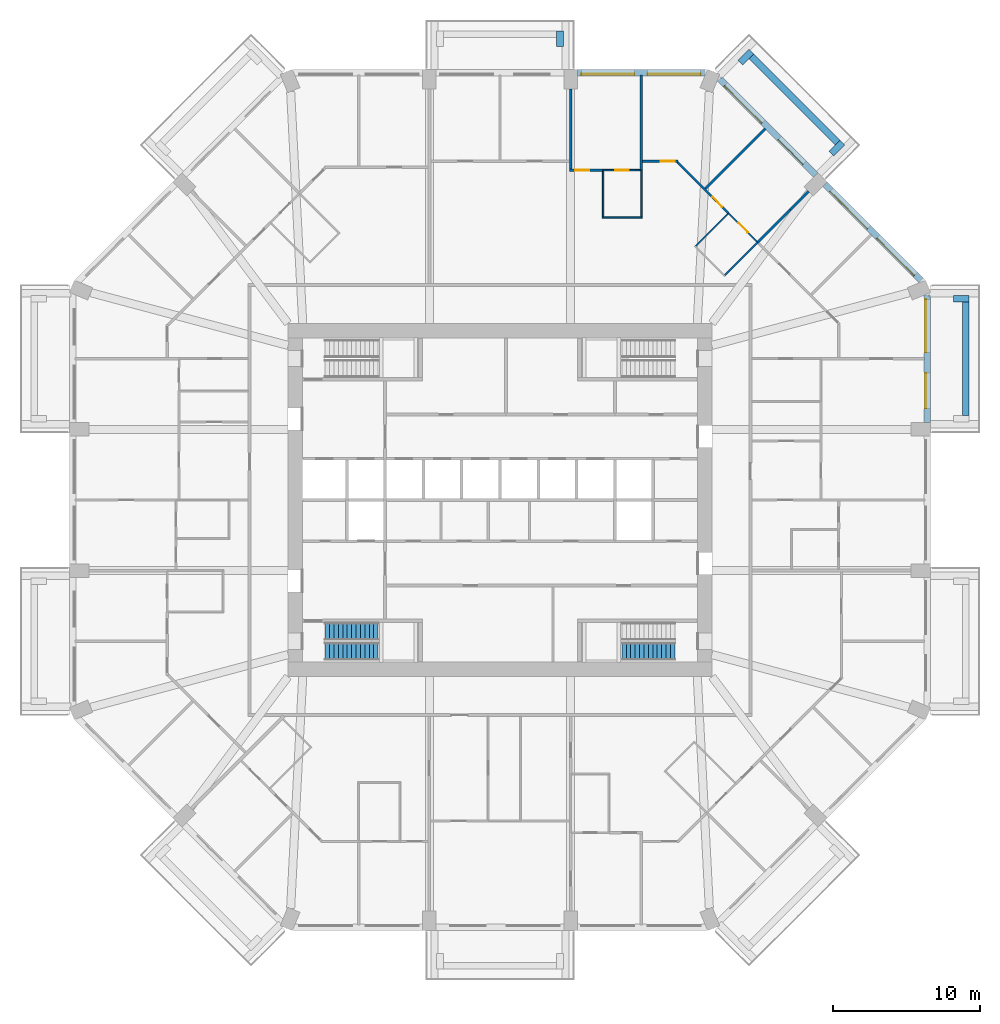
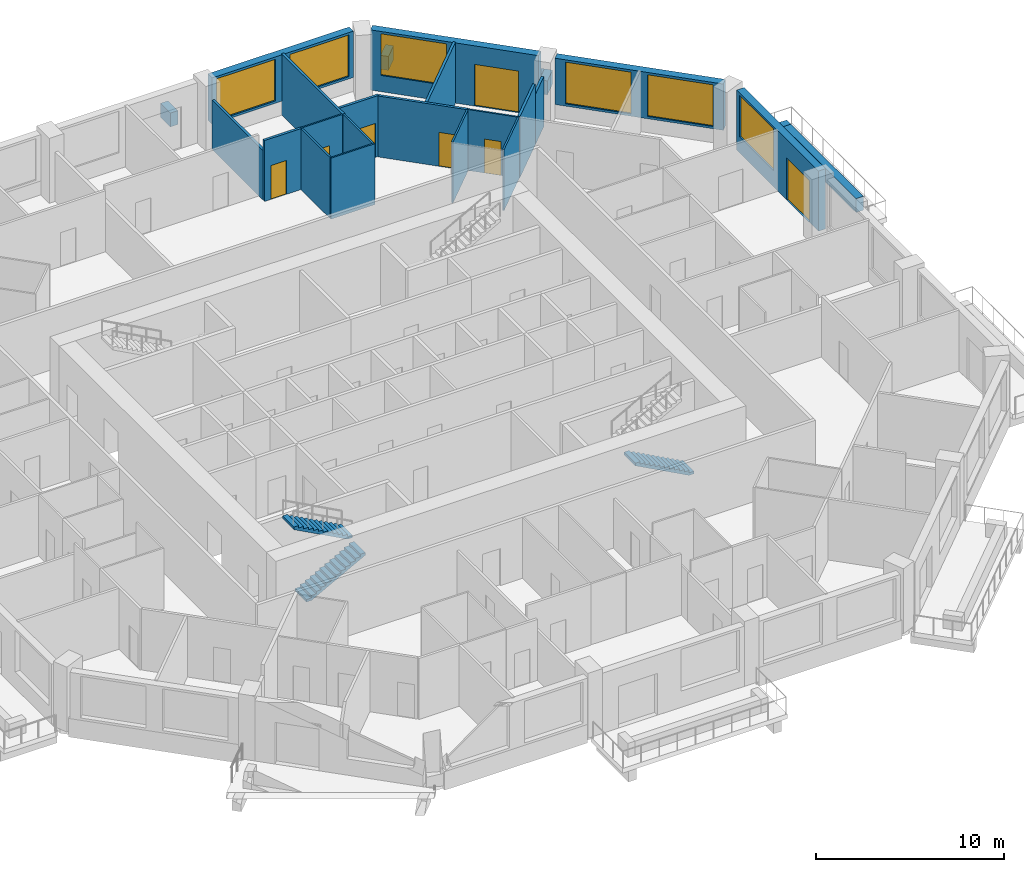
# One storey, part 10 of 13: 25 walls, 7 doors, 6 windows, 3 stair flights, 13 openings, 2 elements without a shape of their own.
"""IFC4 building model written with IfcOpenShell, lengths in metres."""

from ifc_helpers import new_model, si_unit, direction, frame, frame_2d, origin, place, context, subcontext, project, spatial, polyline, rectangle, outline, extrude, material, layer, layer_set, type_object, element, fill, aggregate, save


model = new_model("IFC4")

# Units and contexts
model_context = context("Model", 3, precision=1e-05, world=origin(), true_north=direction((0.0, 1.0)))
body_context = subcontext(model_context, "Body", "Model", "MODEL_VIEW")
ifc_project = project(units=[si_unit("LENGTHUNIT", "METRE"), si_unit("AREAUNIT", "SQUARE_METRE"), si_unit("VOLUMEUNIT", "CUBIC_METRE"), si_unit("PLANEANGLEUNIT", "RADIAN"), si_unit("MASSUNIT", "GRAM", prefix="KILO")], contexts=[model_context])

# Site, building, storey
site_placement = place(None, origin())
site = spatial("IfcSite", under=ifc_project, at=site_placement, CompositionType="ELEMENT")
building_placement = place(site_placement, origin())
building = spatial("IfcBuilding", under=site, at=building_placement, Name="Msitu Wima Residences", CompositionType="ELEMENT")
storey_placement = place(building_placement, frame((0.0, 0.0, 67.5)))
storey = spatial("IfcBuildingStorey", under=building, at=storey_placement, Name="L15", CompositionType="ELEMENT", Elevation=67.5)

# Walls
ifc_material_1 = material(Name="Facing brick")
ifc_layer_1 = layer(ifc_material_1, 0.06494140625, Name="Facing brick")
ifc_material_2 = material(Name="Concrete C40/50", Category="concrete")
ifc_layer_2 = layer(ifc_material_2, 0.156005859375, Name="Concrete C40/50")
ifc_material_3 = material(Name="Waterproofing membrane")
ifc_layer_3 = layer(ifc_material_3, 0.00390625, Name="Waterproofing membrane")
ifc_material_4 = material(Name="Planting soil and planting")
ifc_layer_4 = layer(ifc_material_4, 0.22509765625, Name="Planting soil and planting")
ifc_layer_set_1 = layer_set([ifc_layer_1, ifc_layer_2, ifc_layer_3, ifc_layer_4], Name="Concrete C40/50")
wall_type_1 = type_object("IfcWallType", Name="Balcony planter PLANTER PL450", PredefinedType="USERDEFINED", material=ifc_layer_set_1)
wall_1_placement = place(storey_placement, frame((31.625, 5.75, 0.0), z_axis=(0.0, 0.0, 1.0), x_axis=(0.0, 1.0, 0.0)))
element("IfcWall", 1, at=wall_1_placement, inside=storey, type_object=wall_type_1, Name="Balcony planter E2 L15", ObjectType="PLANTER", PredefinedType="USERDEFINED", context=body_context, shape_type="SweptSolid", body=[
    extrude(rectangle(XDim=7.699951171875, YDim=0.449951171875, at=frame_2d((3.85009765625, 0.0))), origin(), (0.0, 0.0, 1.0), 0.89990234375),
])
wall_2_placement = place(storey_placement, frame((30.800048828125, 13.675048828125, 0.0), z_axis=(0.0, 0.0, 1.0), x_axis=(1.0, 0.0, 0.0)))
element("IfcWall", 2, at=wall_2_placement, inside=storey, type_object=wall_type_1, Name="Balcony planter E2 L15", ObjectType="PLANTER", PredefinedType="USERDEFINED", context=body_context, shape_type="SweptSolid", body=[
    extrude(rectangle(XDim=1.050048828125, YDim=0.449951171875, at=frame_2d((0.52490234375, 0.0))), origin(), (0.0, 0.0, 1.0), 0.89990234375),
])
wall_3_placement = place(storey_placement, frame((22.92578125, 24.269287109375, 0.0), z_axis=(0.0, 0.0, 1.0), x_axis=(-0.707106781187, 0.707106781187, 0.0)))
element("IfcWall", 3, at=wall_3_placement, inside=storey, type_object=wall_type_1, Name="Balcony planter NE1 L15", ObjectType="PLANTER", PredefinedType="USERDEFINED", context=body_context, shape_type="SweptSolid", body=[
    extrude(rectangle(XDim=8.2822265625, YDim=0.449951171875, at=frame_2d((4.14111328125, 0.0))), origin(), (0.0, 0.0, 1.0), 0.89990234375),
])
for number, where, z_axis, x_axis, name in (
    (4, (22.50146484375, 23.52685546875, 0.0), (0.0, 0.0, 1.0), (0.707223014731, 0.706990528533, 0.0), "Balcony planter NE1 L15"),
    (5, (16.326904296875, 29.70166015625, 0.0), (0.0, 0.0, 1.0), (0.707106781187, 0.707106781187, 0.0), "Balcony planter NE1 L15"),
    (6, (4.074951171875, 30.800048828125, 0.0), (0.0, 0.0, 1.0), (0.0, 1.0, 0.0), "Balcony planter N1 L15"),
):
    element("IfcWall", number, at=place(storey_placement, frame(where, z_axis=z_axis, x_axis=x_axis)), inside=storey, type_object=wall_type_1, Name=name, ObjectType="PLANTER", PredefinedType="USERDEFINED", context=body_context, shape_type="SweptSolid", body=[
        extrude(rectangle(XDim=1.050048828125, YDim=0.449951171875, at=frame_2d((0.52490234375, 0.0))), origin(), (0.0, 0.0, 1.0), 0.89990234375),
    ])

# Wall, openings, door, window
ifc_material_5 = material(Name="Brick (red buff mix)", Category="masonry")
ifc_layer_5 = layer(ifc_material_5, 0.449951171875)
ifc_layer_set_2 = layer_set([ifc_layer_5], Name="Brick (red buff mix)")
wall_type_2 = type_object("IfcWallType", Name="Brick infill wall BW450", PredefinedType="SOLIDWALL", material=ifc_layer_set_2)
wall_4_placement = place(storey_placement, frame((29.02490234375, 5.25, 0.0), z_axis=(0.0, 0.0, 1.0), x_axis=(0.0, 1.0, 0.0)))
wall_4 = element("IfcWall", 7, at=wall_4_placement, inside=storey, type_object=wall_type_2, Name="Brick infill wall L15 E2", PredefinedType="SOLIDWALL", context=body_context, shape_type="SweptSolid", body=[
    extrude(rectangle(XDim=8.662841796875, YDim=0.449951171875, at=frame_2d((4.33154296875, 0.0))), origin(), (0.0, 0.0, 1.0), 3.89990234375),
])
opening_1_placement = place(wall_4_placement, frame((0.9658203125, 0.0, 0.0)))
opening_1 = element("IfcOpeningElement", 8, at=opening_1_placement, cuts=wall_4, Name="Opening D13-15.002", PredefinedType="OPENING", context=body_context, shape_type="SweptSolid", body=[
    extrude(rectangle(XDim=2.39990234375, YDim=2.699951171875, at=frame_2d((1.199951171875, 1.35009765625))), frame((0.0, 0.23486328125, 0.0), z_axis=(0.0, -1.0, 0.0), x_axis=(1.0, 0.0, 0.0)), (0.0, 0.0, 1.0), 0.469970703125),
])
opening_2_placement = place(wall_4_placement, frame((4.781494140625, 0.0, 1.050048828125)))
opening_2 = element("IfcOpeningElement", 9, at=opening_2_placement, cuts=wall_4, Name="Opening W13-15.004", PredefinedType="OPENING", context=body_context, shape_type="SweptSolid", body=[
    extrude(rectangle(XDim=3.60009765625, YDim=2.699951171875, at=frame_2d((1.800048828125, 1.35009765625))), frame((0.0, 0.23486328125, 0.0), z_axis=(0.0, -1.0, 0.0), x_axis=(1.0, 0.0, 0.0)), (0.0, 0.0, 1.0), 0.469970703125),
])
ifc_material_6 = material(Name="Anodised aluminium, bronze finish, clear low-emissivity double glazing", Category="aluminium")
door_type_1 = type_object("IfcDoorType", Name="Balcony door D2400x2700", OperationType="SLIDING_TO_LEFT", PredefinedType="DOOR", material=ifc_material_6)
door_1_placement = place(opening_1_placement, origin())
door_1 = element("IfcDoor", 10, at=door_1_placement, inside=storey, type_object=door_type_1, Name="Balcony door L15 E2", OperationType="SINGLE_SWING_LEFT", OverallHeight=2.699951171875, OverallWidth=2.39990234375, PredefinedType="DOOR", context=body_context, shape_type="SweptSolid", body=[
    extrude(rectangle(XDim=2.39990234375, YDim=2.699951171875, at=frame_2d((1.199951171875, 1.35009765625))), frame((0.0, 0.1298828125, 0.0), z_axis=(0.0, -1.0, 0.0), x_axis=(1.0, 0.0, 0.0)), (0.0, 0.0, 1.0), 0.050048828125),
])
fill(opening_1, door_1)
window_type = type_object("IfcWindowType", Name="Window W3600x2700", PartitioningType="DOUBLE_PANEL_VERTICAL", PredefinedType="WINDOW", material=ifc_material_6)
window_1_placement = place(opening_2_placement, origin())
window_1 = element("IfcWindow", 11, at=window_1_placement, inside=storey, type_object=window_type, Name="Window L15 E2.2", OverallHeight=2.699951171875, OverallWidth=3.60009765625, PartitioningType="SINGLE_PANEL", PredefinedType="WINDOW", context=body_context, shape_type="SweptSolid", body=[
    extrude(rectangle(XDim=3.60009765625, YDim=2.699951171875, at=frame_2d((1.800048828125, 1.35009765625))), frame((0.0, 0.135009765625, 0.0), z_axis=(0.0, -1.0, 0.0), x_axis=(1.0, 0.0, 0.0)), (0.0, 0.0, 1.0), 0.06005859375),
])
fill(opening_2, window_1)

# Wall, openings, windows
wall_5_placement = place(storey_placement, frame((28.61474609375, 14.903564453125, 0.89990234375), z_axis=(0.0, 0.0, 1.0), x_axis=(-0.707106781187, 0.707106781187, 0.0)))
wall_5 = element("IfcWall", 12, at=wall_5_placement, inside=storey, type_object=wall_type_2, Name="Brick infill wall L15 NE0", PredefinedType="SOLIDWALL", context=body_context, shape_type="SweptSolid", body=[
    extrude(rectangle(XDim=9.2451171875, YDim=0.449951171875, at=frame_2d((4.62255859375, 0.0))), origin(), (0.0, 0.0, 1.0), 3.0),
])
opening_3_placement = place(wall_5_placement, frame((0.572509765625, 0.0, 0.14990234375)))
opening_3 = element("IfcOpeningElement", 13, at=opening_3_placement, cuts=wall_5, Name="Opening W13-15.010", PredefinedType="OPENING", context=body_context, shape_type="SweptSolid", body=[
    extrude(rectangle(XDim=3.60009765625, YDim=2.699951171875, at=frame_2d((1.800048828125, 1.35009765625))), frame((0.0, 0.23486328125, 0.0), z_axis=(0.0, -1.0, 0.0), x_axis=(1.0, 0.0, 0.0)), (0.0, 0.0, 1.0), 0.469970703125),
])
opening_4_placement = place(wall_5_placement, frame((5.072509765625, 0.0, 0.14990234375)))
opening_4 = element("IfcOpeningElement", 14, at=opening_4_placement, cuts=wall_5, Name="Opening W13-15.011", PredefinedType="OPENING", context=body_context, shape_type="SweptSolid", body=[
    extrude(rectangle(XDim=3.60009765625, YDim=2.699951171875, at=frame_2d((1.800048828125, 1.35009765625))), frame((0.0, 0.23486328125, 0.0), z_axis=(0.0, -1.0, 0.0), x_axis=(1.0, 0.0, 0.0)), (0.0, 0.0, 1.0), 0.469970703125),
])
window_2_placement = place(opening_3_placement, origin())
window_2 = element("IfcWindow", 15, at=window_2_placement, inside=storey, type_object=window_type, Name="Window L15 NE0.1", OverallHeight=2.699951171875, OverallWidth=3.60009765625, PartitioningType="SINGLE_PANEL", PredefinedType="WINDOW", context=body_context, shape_type="SweptSolid", body=[
    extrude(rectangle(XDim=3.60009765625, YDim=2.699951171875, at=frame_2d((1.800048828125, 1.35009765625))), frame((0.0, 0.135009765625, 0.0), z_axis=(0.0, -1.0, 0.0), x_axis=(1.0, 0.0, 0.0)), (0.0, 0.0, 1.0), 0.06005859375),
])
fill(opening_3, window_2)
window_3_placement = place(opening_4_placement, origin())
window_3 = element("IfcWindow", 16, at=window_3_placement, inside=storey, type_object=window_type, Name="Window L15 NE0.2", OverallHeight=2.699951171875, OverallWidth=3.60009765625, PartitioningType="SINGLE_PANEL", PredefinedType="WINDOW", context=body_context, shape_type="SweptSolid", body=[
    extrude(rectangle(XDim=3.60009765625, YDim=2.699951171875, at=frame_2d((1.800048828125, 1.35009765625))), frame((0.0, 0.135009765625, 0.0), z_axis=(0.0, -1.0, 0.0), x_axis=(1.0, 0.0, 0.0)), (0.0, 0.0, 1.0), 0.06005859375),
])
fill(opening_4, window_3)

# Wall, openings, door, window
wall_6_placement = place(storey_placement, frame((21.44091796875, 22.077392578125, 0.0), z_axis=(0.0, 0.0, 1.0), x_axis=(-0.707106781187, 0.707106781187, 0.0)))
wall_6 = element("IfcWall", 17, at=wall_6_placement, inside=storey, type_object=wall_type_2, Name="Brick infill wall L15 NE1", PredefinedType="SOLIDWALL", context=body_context, shape_type="SweptSolid", body=[
    extrude(rectangle(XDim=9.2451171875, YDim=0.449951171875, at=frame_2d((4.62255859375, 0.0))), origin(), (0.0, 0.0, 1.0), 3.89990234375),
])
opening_5_placement = place(wall_6_placement, frame((1.111328125, 0.0, 0.0)))
opening_5 = element("IfcOpeningElement", 18, at=opening_5_placement, cuts=wall_6, Name="Opening D13-15.004", PredefinedType="OPENING", context=body_context, shape_type="SweptSolid", body=[
    extrude(rectangle(XDim=2.39990234375, YDim=2.699951171875, at=frame_2d((1.199951171875, 1.35009765625))), frame((0.0, 0.23486328125, 0.0), z_axis=(0.0, -1.0, 0.0), x_axis=(1.0, 0.0, 0.0)), (0.0, 0.0, 1.0), 0.469970703125),
])
opening_6_placement = place(wall_6_placement, frame((5.072509765625, 0.0, 1.050048828125)))
opening_6 = element("IfcOpeningElement", 19, at=opening_6_placement, cuts=wall_6, Name="Opening W13-15.012", PredefinedType="OPENING", context=body_context, shape_type="SweptSolid", body=[
    extrude(rectangle(XDim=3.60009765625, YDim=2.699951171875, at=frame_2d((1.800048828125, 1.35009765625))), frame((0.0, 0.23486328125, 0.0), z_axis=(0.0, -1.0, 0.0), x_axis=(1.0, 0.0, 0.0)), (0.0, 0.0, 1.0), 0.469970703125),
])
door_2_placement = place(opening_5_placement, origin())
door_2 = element("IfcDoor", 20, at=door_2_placement, inside=storey, type_object=door_type_1, Name="Balcony door L15 NE1", OperationType="SINGLE_SWING_LEFT", OverallHeight=2.699951171875, OverallWidth=2.39990234375, PredefinedType="DOOR", context=body_context, shape_type="SweptSolid", body=[
    extrude(rectangle(XDim=2.39990234375, YDim=2.699951171875, at=frame_2d((1.199951171875, 1.35009765625))), frame((0.0, 0.1298828125, 0.0), z_axis=(0.0, -1.0, 0.0), x_axis=(1.0, 0.0, 0.0)), (0.0, 0.0, 1.0), 0.050048828125),
])
fill(opening_5, door_2)
window_4_placement = place(opening_6_placement, origin())
window_4 = element("IfcWindow", 21, at=window_4_placement, inside=storey, type_object=window_type, Name="Window L15 NE1.2", OverallHeight=2.699951171875, OverallWidth=3.60009765625, PartitioningType="SINGLE_PANEL", PredefinedType="WINDOW", context=body_context, shape_type="SweptSolid", body=[
    extrude(rectangle(XDim=3.60009765625, YDim=2.699951171875, at=frame_2d((1.800048828125, 1.35009765625))), frame((0.0, 0.135009765625, 0.0), z_axis=(0.0, -1.0, 0.0), x_axis=(1.0, 0.0, 0.0)), (0.0, 0.0, 1.0), 0.06005859375),
])
fill(opening_6, window_4)

# Wall, openings, windows
wall_7_placement = place(storey_placement, frame((13.912841796875, 29.02490234375, 0.89990234375), z_axis=(0.0, 0.0, 1.0), x_axis=(-1.0, 0.0, 0.0)))
wall_7 = element("IfcWall", 22, at=wall_7_placement, inside=storey, type_object=wall_type_2, Name="Brick infill wall L15 N0", PredefinedType="SOLIDWALL", context=body_context, shape_type="SweptSolid", body=[
    extrude(rectangle(XDim=8.662841796875, YDim=0.449951171875, at=frame_2d((4.33154296875, 0.0))), origin(), (0.0, 0.0, 1.0), 3.0),
])
opening_7_placement = place(wall_7_placement, frame((0.281494140625, 0.0, 0.14990234375)))
opening_7 = element("IfcOpeningElement", 23, at=opening_7_placement, cuts=wall_7, Name="Opening W13-15.005", PredefinedType="OPENING", context=body_context, shape_type="SweptSolid", body=[
    extrude(rectangle(XDim=3.60009765625, YDim=2.699951171875, at=frame_2d((1.800048828125, 1.35009765625))), frame((0.0, 0.23486328125, 0.0), z_axis=(0.0, -1.0, 0.0), x_axis=(1.0, 0.0, 0.0)), (0.0, 0.0, 1.0), 0.469970703125),
])
opening_8_placement = place(wall_7_placement, frame((4.781494140625, 0.0, 0.14990234375)))
opening_8 = element("IfcOpeningElement", 24, at=opening_8_placement, cuts=wall_7, Name="Opening W13-15.006", PredefinedType="OPENING", context=body_context, shape_type="SweptSolid", body=[
    extrude(rectangle(XDim=3.60009765625, YDim=2.699951171875, at=frame_2d((1.800048828125, 1.35009765625))), frame((0.0, 0.23486328125, 0.0), z_axis=(0.0, -1.0, 0.0), x_axis=(1.0, 0.0, 0.0)), (0.0, 0.0, 1.0), 0.469970703125),
])
window_5_placement = place(opening_7_placement, origin())
window_5 = element("IfcWindow", 25, at=window_5_placement, inside=storey, type_object=window_type, Name="Window L15 N0.1", OverallHeight=2.699951171875, OverallWidth=3.60009765625, PartitioningType="SINGLE_PANEL", PredefinedType="WINDOW", context=body_context, shape_type="SweptSolid", body=[
    extrude(rectangle(XDim=3.60009765625, YDim=2.699951171875, at=frame_2d((1.800048828125, 1.35009765625))), frame((0.0, 0.135009765625, 0.0), z_axis=(0.0, -1.0, 0.0), x_axis=(1.0, 0.0, 0.0)), (0.0, 0.0, 1.0), 0.06005859375),
])
fill(opening_7, window_5)
window_6_placement = place(opening_8_placement, origin())
window_6 = element("IfcWindow", 26, at=window_6_placement, inside=storey, type_object=window_type, Name="Window L15 N0.2", OverallHeight=2.699951171875, OverallWidth=3.60009765625, PartitioningType="SINGLE_PANEL", PredefinedType="WINDOW", context=body_context, shape_type="SweptSolid", body=[
    extrude(rectangle(XDim=3.60009765625, YDim=2.699951171875, at=frame_2d((1.800048828125, 1.35009765625))), frame((0.0, 0.135009765625, 0.0), z_axis=(0.0, -1.0, 0.0), x_axis=(1.0, 0.0, 0.0)), (0.0, 0.0, 1.0), 0.06005859375),
])
fill(opening_8, window_6)

# Wall
ifc_material_7 = material(Name="Plaster")
ifc_layer_6 = layer(ifc_material_7, 0.011962890625, Name="Plaster")
ifc_material_8 = material(Name="Concrete blockwork", Category="masonry")
ifc_layer_7 = layer(ifc_material_8, 0.1259765625, Name="Concrete blockwork")
ifc_layer_8 = layer(ifc_material_7, 0.011962890625, Name="Plaster")
ifc_layer_set_3 = layer_set([ifc_layer_6, ifc_layer_7, ifc_layer_8], Name="Concrete blockwork")
wall_type_3 = type_object("IfcWallType", Name="Partition PW150", PredefinedType="PARTITIONING", material=ifc_layer_set_3)
wall_8_placement = place(storey_placement, frame((4.800048828125, 22.47509765625, 0.0), z_axis=(0.0, 0.0, 1.0), x_axis=(0.0, 1.0, 0.0)))
element("IfcWall", 27, at=wall_8_placement, inside=storey, type_object=wall_type_3, Name="Partition", PredefinedType="PARTITIONING", context=body_context, shape_type="SweptSolid", body=[
    extrude(rectangle(XDim=5.4248046875, YDim=0.14990234375, at=frame_2d((2.71240234375, 0.0))), origin(), (0.0, 0.0, 1.0), 3.199951171875),
])

# Wall, opening, door
wall_9_placement = place(storey_placement, frame((4.72509765625, 22.39990234375, 0.0), z_axis=(0.0, 0.0, 1.0), x_axis=(1.0, 0.0, 0.0)))
wall_9 = element("IfcWall", 28, at=wall_9_placement, inside=storey, type_object=wall_type_3, Name="Partition", PredefinedType="PARTITIONING", context=body_context, shape_type="SweptSolid", body=[
    extrude(rectangle(XDim=2.2548828125, YDim=0.14990234375, at=frame_2d((1.12744140625, 0.0))), origin(), (0.0, 0.0, 1.0), 3.949951171875),
])
opening_9_placement = place(wall_9_placement, frame((0.39990234375, 0.0, 0.0)))
opening_9 = element("IfcOpeningElement", 29, at=opening_9_placement, cuts=wall_9, Name="Opening D13-15.041", PredefinedType="OPENING", context=body_context, shape_type="SweptSolid", body=[
    extrude(rectangle(XDim=0.949951171875, YDim=2.199951171875, at=frame_2d((0.47509765625, 1.10009765625))), frame((0.0, 0.0849609375, 0.0), z_axis=(0.0, -1.0, 0.0), x_axis=(1.0, 0.0, 0.0)), (0.0, 0.0, 1.0), 0.169921875),
])
ifc_material_9 = material(Name="Timber flush door", Category="wood")
door_type_2 = type_object("IfcDoorType", Name="Room door D12 950x2200", OperationType="SINGLE_SWING_LEFT", PredefinedType="DOOR", material=ifc_material_9)
door_3_placement = place(opening_9_placement, origin())
door_3 = element("IfcDoor", 30, at=door_3_placement, inside=storey, type_object=door_type_2, Name="Room door", OperationType="SINGLE_SWING_LEFT", OverallHeight=2.199951171875, OverallWidth=0.949951171875, PredefinedType="DOOR", context=body_context, shape_type="SweptSolid", body=[
    extrude(rectangle(XDim=0.949951171875, YDim=2.199951171875, at=frame_2d((0.47509765625, 1.10009765625))), frame((0.0, 0.02490234375, 0.0), z_axis=(0.0, -1.0, 0.0), x_axis=(1.0, 0.0, 0.0)), (0.0, 0.0, 1.0), 0.050048828125),
])
fill(opening_9, door_3)

# Wall
wall_10_placement = place(storey_placement, frame((9.60009765625, 22.3798828125, 0.0), z_axis=(0.0, 0.0, 1.0), x_axis=(0.0, 1.0, 0.0)))
element("IfcWall", 31, at=wall_10_placement, inside=storey, type_object=wall_type_3, Name="Partition", PredefinedType="PARTITIONING", context=body_context, shape_type="SweptSolid", body=[
    extrude(rectangle(XDim=6.47509765625, YDim=0.14990234375, at=frame_2d((3.237548828125, 0.0))), origin(), (0.0, 0.0, 1.0), 3.949951171875),
])

# Wall, opening, door
wall_11_placement = place(storey_placement, frame((9.675048828125, 23.0, 0.0), z_axis=(0.0, 0.0, 1.0), x_axis=(1.0, 0.0, 0.0)))
wall_11 = element("IfcWall", 32, at=wall_11_placement, inside=storey, type_object=wall_type_3, Name="Partition", PredefinedType="PARTITIONING", context=body_context, shape_type="SweptSolid", body=[
    extrude(rectangle(XDim=2.3974609375, YDim=0.14990234375, at=frame_2d((1.19873046875, 0.0))), origin(), (0.0, 0.0, 1.0), 3.949951171875),
])
opening_10_placement = place(wall_11_placement, frame((1.25, 0.0, 0.0)))
opening_10 = element("IfcOpeningElement", 33, at=opening_10_placement, cuts=wall_11, Name="Opening D13-15.045", PredefinedType="OPENING", context=body_context, shape_type="SweptSolid", body=[
    extrude(rectangle(XDim=0.949951171875, YDim=2.199951171875, at=frame_2d((0.47509765625, 1.10009765625))), frame((0.0, 0.0849609375, 0.0), z_axis=(0.0, -1.0, 0.0), x_axis=(1.0, 0.0, 0.0)), (0.0, 0.0, 1.0), 0.169921875),
])
door_4_placement = place(opening_10_placement, origin())
door_4 = element("IfcDoor", 34, at=door_4_placement, inside=storey, type_object=door_type_2, Name="Room door", OperationType="SINGLE_SWING_LEFT", OverallHeight=2.199951171875, OverallWidth=0.949951171875, PredefinedType="DOOR", context=body_context, shape_type="SweptSolid", body=[
    extrude(rectangle(XDim=0.949951171875, YDim=2.199951171875, at=frame_2d((0.47509765625, 1.10009765625))), frame((0.0, 0.02490234375, 0.0), z_axis=(0.0, -1.0, 0.0), x_axis=(1.0, 0.0, 0.0)), (0.0, 0.0, 1.0), 0.050048828125),
])
fill(opening_10, door_4)

wall_12_placement = place(storey_placement, frame((12.050537109375, 22.947021484375, 0.0), z_axis=(0.0, 0.0, 1.0), x_axis=(0.707106781187, -0.707106781187, 0.0)))
wall_12 = element("IfcWall", 35, at=wall_12_placement, inside=storey, type_object=wall_type_3, Name="Partition", PredefinedType="PARTITIONING", context=body_context, shape_type="SweptSolid", body=[
    extrude(rectangle(XDim=4.90478515625, YDim=0.14990234375, at=frame_2d((2.452392578125, 0.0))), origin(), (0.0, 0.0, 1.0), 3.949951171875),
])
opening_11_placement = place(wall_12_placement, frame((3.35009765625, 0.0, 0.0)))
opening_11 = element("IfcOpeningElement", 36, at=opening_11_placement, cuts=wall_12, Name="Opening D13-15.039", PredefinedType="OPENING", context=body_context, shape_type="SweptSolid", body=[
    extrude(rectangle(XDim=0.949951171875, YDim=2.199951171875, at=frame_2d((0.47509765625, 1.10009765625))), frame((0.0, 0.0849609375, 0.0), z_axis=(0.0, -1.0, 0.0), x_axis=(1.0, 0.0, 0.0)), (0.0, 0.0, 1.0), 0.169921875),
])
door_5_placement = place(opening_11_placement, origin())
door_5 = element("IfcDoor", 37, at=door_5_placement, inside=storey, type_object=door_type_2, Name="Room door", OperationType="SINGLE_SWING_LEFT", OverallHeight=2.199951171875, OverallWidth=0.949951171875, PredefinedType="DOOR", context=body_context, shape_type="SweptSolid", body=[
    extrude(rectangle(XDim=0.949951171875, YDim=2.199951171875, at=frame_2d((0.47509765625, 1.10009765625))), frame((0.0, 0.02490234375, 0.0), z_axis=(0.0, -1.0, 0.0), x_axis=(1.0, 0.0, 0.0)), (0.0, 0.0, 1.0), 0.050048828125),
])
fill(opening_11, door_5)

# Walls
wall_13_placement = place(storey_placement, frame((13.951904296875, 21.15185546875, 0.0), z_axis=(0.0, 0.0, 1.0), x_axis=(0.707085550893, 0.707128010843, 0.0)))
element("IfcWall", 38, at=wall_13_placement, inside=storey, type_object=wall_type_3, Name="Partition", PredefinedType="PARTITIONING", context=body_context, shape_type="SweptSolid", body=[
    extrude(rectangle(XDim=5.75, YDim=0.14990234375, at=frame_2d((2.875, 0.0))), origin(), (0.0, 0.0, 1.0), 3.949951171875),
])
wall_14_placement = place(storey_placement, frame((17.484619140625, 17.484619140625, 0.0), z_axis=(0.0, 0.0, 1.0), x_axis=(0.707106781187, 0.707106781187, 0.0)))
element("IfcWall", 39, at=wall_14_placement, inside=storey, type_object=wall_type_3, Name="Partition", PredefinedType="PARTITIONING", context=body_context, shape_type="SweptSolid", body=[
    extrude(rectangle(XDim=3.171630859375, YDim=0.14990234375, at=frame_2d((1.5859375, 0.0))), origin(), (0.0, 0.0, 1.0), 3.949951171875),
])
wall_15_placement = place(storey_placement, frame((19.727294921875, 19.727294921875, 0.0), z_axis=(0.0, 0.0, 1.0), x_axis=(0.707106781187, 0.707106781187, 0.0)))
element("IfcWall", 40, at=wall_15_placement, inside=storey, type_object=wall_type_3, Name="Partition", PredefinedType="PARTITIONING", context=body_context, shape_type="SweptSolid", body=[
    extrude(rectangle(XDim=1.74853515625, YDim=0.14990234375, at=frame_2d((0.874267578125, 0.0))), origin(), (0.0, 0.0, 1.0), 3.25),
])

# Wall, opening, door
ifc_material_10 = material(Name="Ceramic tiles")
ifc_layer_9 = layer(ifc_material_10, 0.008056640625, Name="Ceramic tiles")
ifc_material_11 = material(Name="Moisture-resistant board")
ifc_layer_10 = layer(ifc_material_11, 0.012451171875, Name="Moisture-resistant board")
ifc_material_12 = material(Name="Light-gauge stud framing with mineral wool")
ifc_layer_11 = layer(ifc_material_12, 0.06689453125, Name="Light-gauge stud framing with mineral wool")
ifc_layer_12 = layer(ifc_material_11, 0.012451171875, Name="Moisture-resistant board")
ifc_layer_set_4 = layer_set([ifc_layer_9, ifc_layer_10, ifc_layer_11, ifc_layer_12], Name="Light-gauge stud framing with mineral wool")
wall_type_4 = type_object("IfcWallType", Name="Wet wall PW100", PredefinedType="PARTITIONING", material=ifc_layer_set_4)
wall_16_placement = place(storey_placement, frame((6.97998046875, 22.39990234375, 0.0), z_axis=(0.0, 0.0, 1.0), x_axis=(1.0, 0.0, 0.0)))
wall_16 = element("IfcWall", 41, at=wall_16_placement, inside=storey, type_object=wall_type_4, Name="Wet wall", PredefinedType="PARTITIONING", context=body_context, shape_type="SweptSolid", body=[
    extrude(rectangle(XDim=2.544921875, YDim=0.10009765625, at=frame_2d((1.2724609375, 0.0))), origin(), (0.0, 0.0, 1.0), 3.949951171875),
])
opening_12_placement = place(wall_16_placement, frame((0.85009765625, 0.0, 0.0)))
opening_12 = element("IfcOpeningElement", 42, at=opening_12_placement, cuts=wall_16, Name="Opening D13-15.042", PredefinedType="OPENING", context=body_context, shape_type="SweptSolid", body=[
    extrude(rectangle(XDim=0.89990234375, YDim=2.199951171875, at=frame_2d((0.449951171875, 1.10009765625))), frame((0.0, 0.06005859375, 0.0), z_axis=(0.0, -1.0, 0.0), x_axis=(1.0, 0.0, 0.0)), (0.0, 0.0, 1.0), 0.1201171875),
])
ifc_material_13 = material(Name="Timber flush door, moisture resistant", Category="wood")
door_type_3 = type_object("IfcDoorType", Name="Bathroom door D03 900x2200", OperationType="SINGLE_SWING_LEFT", PredefinedType="DOOR", material=ifc_material_13)
door_6_placement = place(opening_12_placement, origin())
door_6 = element("IfcDoor", 43, at=door_6_placement, inside=storey, type_object=door_type_3, Name="Bathroom door", OperationType="SINGLE_SWING_RIGHT", OverallHeight=2.199951171875, OverallWidth=0.89990234375, PredefinedType="DOOR", context=body_context, shape_type="SweptSolid", body=[
    extrude(rectangle(XDim=0.89990234375, YDim=2.199951171875, at=frame_2d((0.449951171875, 1.10009765625))), frame((0.0, 0.02490234375, 0.0), z_axis=(0.0, -1.0, 0.0), x_axis=(1.0, 0.0, 0.0)), (0.0, 0.0, 1.0), 0.050048828125),
])
fill(opening_12, door_6)

# Walls
wall_17_placement = place(storey_placement, frame((7.0, 19.25, 0.0), z_axis=(0.0, 0.0, 1.0), x_axis=(0.0, 1.0, 0.0)))
element("IfcWall", 44, at=wall_17_placement, inside=storey, type_object=wall_type_4, Name="Wet wall", PredefinedType="PARTITIONING", context=body_context, shape_type="SweptSolid", body=[
    extrude(rectangle(XDim=3.074951171875, YDim=0.10009765625, at=frame_2d((1.53759765625, 0.0))), origin(), (0.0, 0.0, 1.0), 3.949951171875),
])
wall_18_placement = place(storey_placement, frame((6.949951171875, 19.199951171875, 0.0), z_axis=(0.0, 0.0, 1.0), x_axis=(1.0, 0.0, 0.0)))
element("IfcWall", 45, at=wall_18_placement, inside=storey, type_object=wall_type_4, Name="Wet wall", PredefinedType="PARTITIONING", context=body_context, shape_type="SweptSolid", body=[
    extrude(rectangle(XDim=2.699951171875, YDim=0.10009765625, at=frame_2d((1.35009765625, 0.0))), origin(), (0.0, 0.0, 1.0), 3.949951171875),
])
wall_19_placement = place(storey_placement, frame((9.60009765625, 19.25, 0.0), z_axis=(0.0, 0.0, 1.0), x_axis=(0.0, 1.0, 0.0)))
element("IfcWall", 46, at=wall_19_placement, inside=storey, type_object=wall_type_4, Name="Wet wall", PredefinedType="PARTITIONING", context=body_context, shape_type="SweptSolid", body=[
    extrude(rectangle(XDim=3.1298828125, YDim=0.10009765625, at=frame_2d((1.56494140625, 0.0))), origin(), (0.0, 0.0, 1.0), 3.949951171875),
])
wall_20_placement = place(storey_placement, frame((13.29150390625, 17.251220703125, 0.0), z_axis=(0.0, 0.0, 1.0), x_axis=(0.707106781187, 0.707106781187, 0.0)))
element("IfcWall", 47, at=wall_20_placement, inside=storey, type_object=wall_type_4, Name="Wet wall", PredefinedType="PARTITIONING", context=body_context, shape_type="SweptSolid", body=[
    extrude(rectangle(XDim=3.10009765625, YDim=0.10009765625, at=frame_2d((1.550048828125, 0.0))), origin(), (0.0, 0.0, 1.0), 3.949951171875),
])
wall_21_placement = place(storey_placement, frame((15.271484375, 15.271484375, 0.0), z_axis=(0.0, 0.0, 1.0), x_axis=(0.707106781187, 0.707106781187, 0.0)))
element("IfcWall", 48, at=wall_21_placement, inside=storey, type_object=wall_type_4, Name="Wet wall", PredefinedType="PARTITIONING", context=body_context, shape_type="SweptSolid", body=[
    extrude(rectangle(XDim=3.1298828125, YDim=0.10009765625, at=frame_2d((1.56494140625, 0.0))), origin(), (0.0, 0.0, 1.0), 3.949951171875),
])

# Wall, opening, door
wall_22_placement = place(storey_placement, frame((15.518798828125, 19.478759765625, 0.0), z_axis=(0.0, 0.0, 1.0), x_axis=(0.707106781187, -0.707106781187, 0.0)))
wall_22 = element("IfcWall", 49, at=wall_22_placement, inside=storey, type_object=wall_type_4, Name="Wet wall", PredefinedType="PARTITIONING", context=body_context, shape_type="SweptSolid", body=[
    extrude(rectangle(XDim=2.800048828125, YDim=0.10009765625, at=frame_2d((1.39990234375, 0.0))), origin(), (0.0, 0.0, 1.0), 3.949951171875),
])
opening_13_placement = place(wall_22_placement, frame((0.949951171875, 0.0, 0.0)))
opening_13 = element("IfcOpeningElement", 50, at=opening_13_placement, cuts=wall_22, Name="Opening D13-15.040", PredefinedType="OPENING", context=body_context, shape_type="SweptSolid", body=[
    extrude(rectangle(XDim=0.89990234375, YDim=2.199951171875, at=frame_2d((0.449951171875, 1.10009765625))), frame((0.0, 0.06005859375, 0.0), z_axis=(0.0, -1.0, 0.0), x_axis=(1.0, 0.0, 0.0)), (0.0, 0.0, 1.0), 0.1201171875),
])
door_7_placement = place(opening_13_placement, origin())
door_7 = element("IfcDoor", 51, at=door_7_placement, inside=storey, type_object=door_type_3, Name="Bathroom door", OperationType="SINGLE_SWING_LEFT", OverallHeight=2.199951171875, OverallWidth=0.89990234375, PredefinedType="DOOR", context=body_context, shape_type="SweptSolid", body=[
    extrude(rectangle(XDim=0.89990234375, YDim=2.199951171875, at=frame_2d((0.449951171875, 1.10009765625))), frame((0.0, 0.02490234375, 0.0), z_axis=(0.0, -1.0, 0.0), x_axis=(1.0, 0.0, 0.0)), (0.0, 0.0, 1.0), 0.050048828125),
])
fill(opening_13, door_7)

# Stair, stair flights
stair_type = type_object("IfcStairType", Name="Exit stair ES1615-120", PredefinedType="HALF_TURN_STAIR", material=ifc_material_2)
stair_1_placement = place(storey_placement, origin())
stair_1 = element("IfcStair", 52, at=stair_1_placement, inside=storey, type_object=stair_type, Name="Exit stair 2", PredefinedType="HALF_TURN_STAIR")
stair_flight_type = type_object("IfcStairFlightType", Name="Exit stair flight ES1615-120", PredefinedType="STRAIGHT", material=ifc_material_2)
stair_flight_1_placement = place(storey_placement, frame((-11.875, -10.27490234375, 0.0), z_axis=(0.0, 0.0, 1.0), x_axis=(1.0, 0.0, 0.0)))
stair_flight_1 = element("IfcStairFlight", 53, at=stair_flight_1_placement, type_object=stair_flight_type, Name="S2 flight 1", NumberOfRisers=13, NumberOfTreads=12, PredefinedType="STRAIGHT", RiserHeight=0.161538462, TreadLength=0.3, context=body_context, shape_type="SweptSolid", body=[
    extrude(outline(polyline([(0.0, 0.0), (0.0, 0.16162109375), (0.300048828125, 0.16162109375), (0.300048828125, 0.322998046875), (0.60009765625, 0.322998046875), (0.60009765625, 0.484619140625), (0.89990234375, 0.484619140625), (0.89990234375, 0.646240234375), (1.199951171875, 0.646240234375), (1.199951171875, 0.8076171875), (1.5, 0.8076171875), (1.5, 0.96923828125), (1.800048828125, 0.96923828125), (1.800048828125, 1.130859375), (2.10009765625, 1.130859375), (2.10009765625, 1.292236328125), (2.39990234375, 1.292236328125), (2.39990234375, 1.453857421875), (2.699951171875, 1.453857421875), (2.699951171875, 1.615478515625), (3.0, 1.615478515625), (3.0, 1.77685546875), (3.300048828125, 1.77685546875), (3.300048828125, 1.9384765625), (3.60009765625, 1.9384765625), (3.60009765625, 2.10009765625), (3.60009765625, 1.768310546875), (0.316162109375, 0.0), (0.0, 0.0)])), frame((0.0, 0.60009765625, 0.0), z_axis=(0.0, -1.0, 0.0), x_axis=(1.0, 0.0, 0.0)), (0.0, 0.0, 1.0), 1.199951171875),
])
stair_flight_2_placement = place(storey_placement, frame((-8.27490234375, -8.925048828125, 2.10009765625), z_axis=(0.0, 0.0, 1.0), x_axis=(-1.0, 0.0, 0.0)))
stair_flight_2 = element("IfcStairFlight", 54, at=stair_flight_2_placement, type_object=stair_flight_type, Name="S2 flight 2", NumberOfRisers=13, NumberOfTreads=12, PredefinedType="STRAIGHT", RiserHeight=0.161538462, TreadLength=0.3, context=body_context, shape_type="SweptSolid", body=[
    extrude(outline(polyline([(0.0, 0.0), (0.0, 0.16162109375), (0.300048828125, 0.16162109375), (0.300048828125, 0.322998046875), (0.60009765625, 0.322998046875), (0.60009765625, 0.484619140625), (0.89990234375, 0.484619140625), (0.89990234375, 0.646240234375), (1.199951171875, 0.646240234375), (1.199951171875, 0.8076171875), (1.5, 0.8076171875), (1.5, 0.96923828125), (1.800048828125, 0.96923828125), (1.800048828125, 1.130859375), (2.10009765625, 1.130859375), (2.10009765625, 1.292236328125), (2.39990234375, 1.292236328125), (2.39990234375, 1.453857421875), (2.699951171875, 1.453857421875), (2.699951171875, 1.615478515625), (3.0, 1.615478515625), (3.0, 1.77685546875), (3.300048828125, 1.77685546875), (3.300048828125, 1.9384765625), (3.60009765625, 1.9384765625), (3.60009765625, 2.10009765625), (3.60009765625, 1.768310546875), (0.316162109375, 0.0), (0.0, 0.0)])), frame((0.0, 0.60009765625, 0.0), z_axis=(0.0, -1.0, 0.0), x_axis=(1.0, 0.0, 0.0)), (0.0, 0.0, 1.0), 1.199951171875),
])
aggregate(stair_1, [stair_flight_1, stair_flight_2])

# Stair, stair flight
stair_2_placement = place(storey_placement, origin())
stair_2 = element("IfcStair", 55, at=stair_2_placement, inside=storey, type_object=stair_type, Name="Exit stair 4", PredefinedType="HALF_TURN_STAIR")
stair_flight_3_placement = place(storey_placement, frame((11.875, -10.27490234375, 0.0), z_axis=(0.0, 0.0, 1.0), x_axis=(-1.0, 0.0, 0.0)))
stair_flight_3 = element("IfcStairFlight", 56, at=stair_flight_3_placement, type_object=stair_flight_type, Name="S4 flight 1", NumberOfRisers=13, NumberOfTreads=12, PredefinedType="STRAIGHT", RiserHeight=0.161538462, TreadLength=0.3, context=body_context, shape_type="SweptSolid", body=[
    extrude(outline(polyline([(0.0, 0.0), (0.0, 0.16162109375), (0.300048828125, 0.16162109375), (0.300048828125, 0.322998046875), (0.60009765625, 0.322998046875), (0.60009765625, 0.484619140625), (0.89990234375, 0.484619140625), (0.89990234375, 0.646240234375), (1.199951171875, 0.646240234375), (1.199951171875, 0.8076171875), (1.5, 0.8076171875), (1.5, 0.96923828125), (1.800048828125, 0.96923828125), (1.800048828125, 1.130859375), (2.10009765625, 1.130859375), (2.10009765625, 1.292236328125), (2.39990234375, 1.292236328125), (2.39990234375, 1.453857421875), (2.699951171875, 1.453857421875), (2.699951171875, 1.615478515625), (3.0, 1.615478515625), (3.0, 1.77685546875), (3.300048828125, 1.77685546875), (3.300048828125, 1.9384765625), (3.60009765625, 1.9384765625), (3.60009765625, 2.10009765625), (3.60009765625, 1.768310546875), (0.316162109375, 0.0), (0.0, 0.0)])), frame((0.0, 0.60009765625, 0.0), z_axis=(0.0, -1.0, 0.0), x_axis=(1.0, 0.0, 0.0)), (0.0, 0.0, 1.0), 1.199951171875),
])
aggregate(stair_2, [stair_flight_3])

save(model, "model.ifc")
